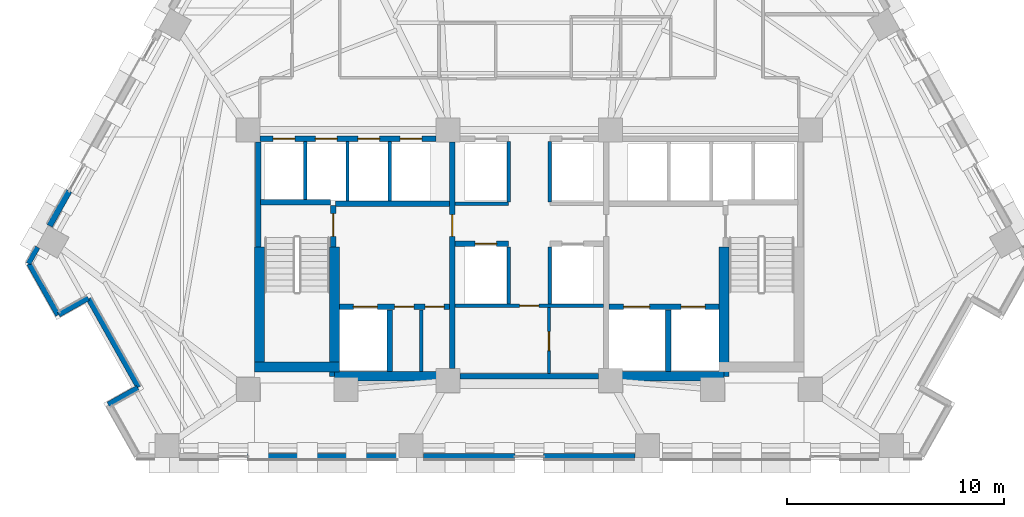
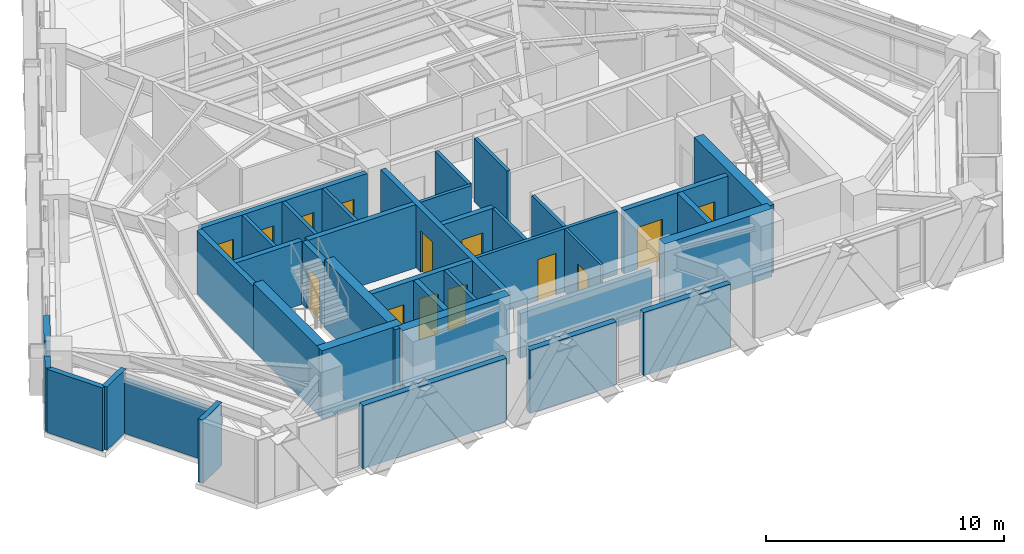
# One storey, part 7 of 13: 38 walls, 14 doors, 14 openings.
"""IFC4 building model written with IfcOpenShell, lengths in metres."""

import ifcopenshell
import ifcopenshell.guid

model = None  # the IFC model being written
_history = None  # IfcOwnerHistory: only IFC2X3 demands one
_inside = {}  # id of a spatial element -> (the spatial element, [elements in it])
_under = {}  # id of a project, library or spatial element -> (it, [spatial elements below it])
_declared = {}  # id of a project -> (the project, [libraries it declares])
_typed = {}  # id of a type object -> (the type object, [elements of that type])
_made_of = {}  # id of a material, layer set ... -> (it, [elements and type objects made of it])


def new_model(schema):
    """Start an empty IFC model of exactly this schema.

    Asked for "IFC4X3", IfcOpenShell would pick the latest addendum, in which some entities
    have other attributes; the version numbers below select the first issue.
    IFC2X3 requires an IfcOwnerHistory on every rooted entity: one is made here for all.
    """
    global model, _history
    if schema == "IFC4X3":
        model = ifcopenshell.file(schema_version=(4, 3, 0, 0))
    else:
        model = ifcopenshell.file(schema=schema)
    _inside.clear()
    _under.clear()
    _declared.clear()
    _typed.clear()
    _made_of.clear()
    _history = None
    if model.schema == "IFC2X3":
        org = make("IfcOrganization", Name="unknown")
        user = make(
            "IfcPersonAndOrganization",
            ThePerson=make("IfcPerson", FamilyName="unknown"),
            TheOrganization=org,
        )
        app = make(
            "IfcApplication",
            ApplicationDeveloper=org,
            Version="unknown",
            ApplicationFullName="unknown",
            ApplicationIdentifier="unknown",
        )
        _history = make(
            "IfcOwnerHistory",
            OwningUser=user,
            OwningApplication=app,
            ChangeAction="ADDED",
            CreationDate=0,
        )
    return model


def make(cls, **values):
    """One entity of the class cls with the attributes given. An attribute that is None is left unset."""
    return model.create_entity(
        cls, **{name: value for name, value in values.items() if value is not None}
    )


def rooted(cls, **values):
    """An entity with a GlobalId (a new one), such as an element, a storey or a relation."""
    return make(cls, GlobalId=ifcopenshell.guid.new(), OwnerHistory=_history, **values)


def si_unit(unit_type, name, prefix=None):
    """IfcSIUnit, for example si_unit("LENGTHUNIT", "METRE", prefix="MILLI")."""
    return make("IfcSIUnit", UnitType=unit_type, Prefix=prefix, Name=name)


def assignment(units):
    """IfcUnitAssignment: the units of a project."""
    return None if units is None else make("IfcUnitAssignment", Units=units)


def point(xyz):
    """IfcCartesianPoint."""
    return None if xyz is None else make("IfcCartesianPoint", Coordinates=xyz)


def direction(xyz):
    """IfcDirection."""
    return None if xyz is None else make("IfcDirection", DirectionRatios=xyz)


def frame(location, z_axis=None, x_axis=None):
    """IfcAxis2Placement3D, a coordinate frame: its origin and axes. An axis left out is left unset."""
    return make(
        "IfcAxis2Placement3D",
        Location=point(location),
        Axis=direction(z_axis),
        RefDirection=direction(x_axis),
    )


def frame_2d(location, x_axis=None):
    """IfcAxis2Placement2D, a coordinate frame in the plane: its origin and x axis."""
    return make(
        "IfcAxis2Placement2D", Location=point(location), RefDirection=direction(x_axis)
    )


def origin():
    """The frame at (0, 0, 0) with its axes left unset."""
    return frame((0.0, 0.0, 0.0))


def place(relative_to, where):
    """IfcLocalPlacement: puts the frame where relative to a parent placement (None: the world)."""
    return make(
        "IfcLocalPlacement", PlacementRelTo=relative_to, RelativePlacement=where
    )


def context(
    kind, dimensions, precision=None, world=None, true_north=None, identifier=None
):
    """IfcGeometricRepresentationContext, for example the 3D "Model" context."""
    return make(
        "IfcGeometricRepresentationContext",
        ContextIdentifier=identifier,
        ContextType=kind,
        CoordinateSpaceDimension=dimensions,
        Precision=precision,
        WorldCoordinateSystem=world,
        TrueNorth=true_north,
    )


def subcontext(parent, identifier, kind, view, scale=None):
    """IfcGeometricRepresentationSubContext, for example "Body" below "Model"."""
    return make(
        "IfcGeometricRepresentationSubContext",
        ContextIdentifier=identifier,
        ContextType=kind,
        ParentContext=parent,
        TargetScale=scale,
        TargetView=view,
    )


def project(units=None, contexts=None):
    """IfcProject with its units and contexts."""
    return rooted(
        "IfcProject",
        Name="project",
        RepresentationContexts=contexts,
        UnitsInContext=assignment(units),
    )


def spatial(cls, under=None, at=None, **own):
    """A site, building, storey or space (cls), placed at a placement, below another one or the project."""
    s = rooted(cls, ObjectPlacement=at, **own)
    if under is not None:
        _under.setdefault(under.id(), (under, []))[1].append(s)
    return s


def profile(cls, at=None, kind="AREA", **sizes):
    """A parametric profile (cls). Its sizes go by their IFC names, for example OverallWidth=200.0."""
    return make(cls, ProfileType=kind, Position=at, **sizes)


def rectangle(**sizes):
    """IfcRectangleProfileDef."""
    return profile("IfcRectangleProfileDef", **sizes)


def extrude(swept, where, along, depth):
    """IfcExtrudedAreaSolid: the profile swept, set in the frame where, extruded along a direction by depth."""
    return make(
        "IfcExtrudedAreaSolid",
        SweptArea=swept,
        Position=where,
        ExtrudedDirection=direction(along),
        Depth=depth,
    )


def shape(context_of_items, identifier, shape_type, items):
    """IfcShapeRepresentation: the items that make up one representation, for example the "Body"."""
    return make(
        "IfcShapeRepresentation",
        ContextOfItems=context_of_items,
        RepresentationIdentifier=identifier,
        RepresentationType=shape_type,
        Items=items,
    )


def material(Name=None, Category=None):
    """IfcMaterial."""
    return make("IfcMaterial", Name=Name, Category=Category)


def layer(
    of_material, thickness, ventilated=None, Name=None, Category=None, Priority=None
):
    """IfcMaterialLayer: one layer of a wall or slab, of a material (None: an air gap)."""
    return make(
        "IfcMaterialLayer",
        Material=of_material,
        LayerThickness=thickness,
        IsVentilated=ventilated,
        Name=Name,
        Category=Category,
        Priority=Priority,
    )


def layer_set(layers, Name=None):
    """IfcMaterialLayerSet."""
    return make("IfcMaterialLayerSet", MaterialLayers=layers, LayerSetName=Name)


def made_of(thing, what):
    """Note that an element or type object is made of a material, layer set ...; save() writes the relation."""
    if what is not None:
        _made_of.setdefault(what.id(), (what, []))[1].append(thing)
    return thing


def type_object(cls, material=None, **own):
    """A type object (cls), such as IfcWallType, which elements share."""
    return made_of(rooted(cls, **own), material)


def element(
    cls,
    number,
    at=None,
    inside=None,
    cuts=None,
    type_object=None,
    material=None,
    context=None,
    identifier="Body",
    shape_type=None,
    held_by="IfcProductDefinitionShape",
    body=None,
    shapes=None,
    **own,
):
    """One element of the class cls, such as IfcWall. Its Tag is "e" and its number.

    at: its placement. inside: the storey or other place that contains it. cuts: it is an
    opening in that element (IfcRelVoidsElement). A single representation is given by context,
    identifier, shape_type and body (its items); several are given by shapes. held_by: the class
    of the entity that holds the representations. save() writes the other relations.
    """
    e = rooted(cls, Tag="e%d" % number, ObjectPlacement=at, **own)
    if body is not None:
        shapes = [shape(context, identifier, shape_type, body)]
    if shapes is not None:
        e.Representation = make(held_by, Representations=shapes)
    if inside is not None:
        _inside.setdefault(inside.id(), (inside, []))[1].append(e)
    if cuts is not None:
        rooted(
            "IfcRelVoidsElement", RelatingBuildingElement=cuts, RelatedOpeningElement=e
        )
    if type_object is not None:
        _typed.setdefault(type_object.id(), (type_object, []))[1].append(e)
    return made_of(e, material)


def fill(opening, filler):
    """IfcRelFillsElement: the door or window that sits in an opening."""
    return rooted(
        "IfcRelFillsElement",
        RelatingOpeningElement=opening,
        RelatedBuildingElement=filler,
    )


def aggregate(whole, parts):
    """IfcRelAggregates: a whole, such as a stair, and the parts it consists of."""
    return rooted("IfcRelAggregates", RelatingObject=whole, RelatedObjects=parts)


def save(model, path):
    """Write the relations noted so far, then the file.

    IfcRelAggregates (storeys below a building ...), IfcRelContainedInSpatialStructure (elements
    in a storey), IfcRelDefinesByType, IfcRelAssociatesMaterial and IfcRelDeclares: one each for
    every whole, place, type object, material and project.
    """
    for whole, parts in _under.values():
        aggregate(whole, parts)
    for where, things in _inside.values():
        rooted(
            "IfcRelContainedInSpatialStructure",
            RelatedElements=things,
            RelatingStructure=where,
        )
    for kind, things in _typed.values():
        rooted("IfcRelDefinesByType", RelatedObjects=things, RelatingType=kind)
    for what, things in _made_of.values():
        rooted("IfcRelAssociatesMaterial", RelatedObjects=things, RelatingMaterial=what)
    for by, libraries in _declared.values():
        rooted("IfcRelDeclares", RelatingContext=by, RelatedDefinitions=libraries)
    model.write(path)


model = new_model("IFC4")

# Units and contexts
model_context = context("Model", 3, precision=1e-05, world=origin(), true_north=direction((0.0, 1.0)))
body_context = subcontext(model_context, "Body", "Model", "MODEL_VIEW")
ifc_project = project(units=[si_unit("LENGTHUNIT", "METRE"), si_unit("AREAUNIT", "SQUARE_METRE"), si_unit("VOLUMEUNIT", "CUBIC_METRE"), si_unit("PLANEANGLEUNIT", "RADIAN"), si_unit("MASSUNIT", "GRAM", prefix="KILO")], contexts=[model_context])

# Site, building, storey
site_placement = place(None, origin())
site = spatial("IfcSite", under=ifc_project, at=site_placement, CompositionType="ELEMENT")
building_placement = place(site_placement, origin())
building = spatial("IfcBuilding", under=site, at=building_placement, Name="Quenlor Broadcast Tower", CompositionType="ELEMENT")
storey_placement = place(building_placement, frame((0.0, 0.0, 95.0)))
storey = spatial("IfcBuildingStorey", under=building, at=storey_placement, Name="L25", CompositionType="ELEMENT", Elevation=95.0)

# Walls
ifc_material_1 = material(Name="Concrete C50/60", Category="concrete")
ifc_layer_1 = layer(ifc_material_1, 0.449951171875)
ifc_layer_set_1 = layer_set([ifc_layer_1], Name="Core Concrete C50/60 Shear Wall 450")
wall_type_1 = type_object("IfcWallType", Name="Core Concrete C50/60 Shear Wall 450", PredefinedType="SHEAR", material=ifc_layer_set_1)
wall_1_placement = place(storey_placement, frame((-12.64990234375, -15.72509765625, 0.0), z_axis=(0.0, 0.0, 1.0), x_axis=(1.0, 0.0, 0.0)))
element("IfcWall", 1, at=wall_1_placement, inside=storey, type_object=wall_type_1, Name="L25 Core Shear Wall WS-W1", PredefinedType="SHEAR", context=body_context, shape_type="SweptSolid", body=[
    extrude(rectangle(XDim=3.89990234375, YDim=0.449951171875, at=frame_2d((1.949951171875, 0.0))), origin(), (0.0, 0.0, 1.0), 3.5),
])
for number, where, z_axis, x_axis, name in (
    (2, (-8.97509765625, -16.14990234375, 0.0), (0.0, 0.0, 1.0), (1.0, 0.0, 0.0), "L25 Core Shear Wall WS-W2"),
    (3, (3.75, -16.14990234375, 0.0), (0.0, 0.0, 1.0), (1.0, 0.0, 0.0), "L25 Core Shear Wall WS-E1"),
):
    element("IfcWall", number, at=place(storey_placement, frame(where, z_axis=z_axis, x_axis=x_axis)), inside=storey, type_object=wall_type_1, Name=name, PredefinedType="SHEAR", context=body_context, shape_type="SweptSolid", body=[
        extrude(rectangle(XDim=5.22509765625, YDim=0.449951171875, at=frame_2d((2.612548828125, 0.0))), origin(), (0.0, 0.0, 1.0), 3.5),
    ])
wall_2_placement = place(storey_placement, frame((-12.425048828125, -15.72509765625, 0.0), z_axis=(0.0, 0.0, 1.0), x_axis=(0.0, 1.0, 0.0)))
element("IfcWall", 4, at=wall_2_placement, inside=storey, type_object=wall_type_1, Name="L25 Core Shear Wall WF-W", PredefinedType="SHEAR", context=body_context, shape_type="SweptSolid", body=[
    extrude(rectangle(XDim=5.525146484375, YDim=0.449951171875, at=frame_2d((2.7626953125, 0.0))), origin(), (0.0, 0.0, 1.0), 3.5),
])
for number, where, z_axis, x_axis, name in (
    (5, (-8.97509765625, -16.14990234375, 0.0), (0.0, 0.0, 1.0), (0.0, 1.0, 0.0), "L25 Core Shear Wall WI-W"),
    (6, (8.97509765625, -16.14990234375, 0.0), (0.0, 0.0, 1.0), (0.0, 1.0, 0.0), "L25 Core Shear Wall WI-E"),
):
    element("IfcWall", number, at=place(storey_placement, frame(where, z_axis=z_axis, x_axis=x_axis)), inside=storey, type_object=wall_type_1, Name=name, PredefinedType="SHEAR", context=body_context, shape_type="SweptSolid", body=[
        extrude(rectangle(XDim=5.949951171875, YDim=0.449951171875, at=frame_2d((2.97509765625, 0.0))), origin(), (0.0, 0.0, 1.0), 3.5),
    ])

# Wall, opening, door
ifc_material_2 = material(Name="Concrete C40/50", Category="concrete")
ifc_layer_2 = layer(ifc_material_2, 0.25)
ifc_layer_set_2 = layer_set([ifc_layer_2], Name="Fire Rated Concrete C40/50 Core Wall 250")
wall_type_2 = type_object("IfcWallType", Name="Fire Rated Concrete C40/50 Core Wall 250", PredefinedType="PARTITIONING", material=ifc_layer_set_2)
wall_3_placement = place(storey_placement, frame((-9.0400390625, -10.179931640625, 0.0), z_axis=(0.0, 0.0, 1.0), x_axis=(0.0, 1.0, 0.0)))
wall_3 = element("IfcWall", 7, at=wall_3_placement, inside=storey, type_object=wall_type_2, Name="L25 Interior Wall CW-ST1-DR", PredefinedType="PARTITIONING", context=body_context, shape_type="SweptSolid", body=[
    extrude(rectangle(XDim=1.89990234375, YDim=0.25, at=frame_2d((0.949951171875, 0.0))), origin(), (0.0, 0.0, 1.0), 3.25),
])
opening_1_placement = place(wall_3_placement, frame((0.47998046875, 0.0, 0.0)))
opening_1 = element("IfcOpeningElement", 8, at=opening_1_placement, cuts=wall_3, Name="Opening FD-1", PredefinedType="OPENING", context=body_context, shape_type="SweptSolid", body=[
    extrude(rectangle(XDim=1.050048828125, YDim=2.14990234375, at=frame_2d((0.52490234375, 1.074951171875))), frame((0.0, 0.135009765625, 0.0), z_axis=(0.0, -1.0, 0.0), x_axis=(1.0, 0.0, 0.0)), (0.0, 0.0, 1.0), 0.27001953125),
])
ifc_material_3 = material(Name="Fire Rated Steel Door Leaf", Category="steel")
door_type_1 = type_object("IfcDoorType", Name="Fire Isolated Stair Door 1050x2150", OperationType="NOTDEFINED", PredefinedType="DOOR", material=ifc_material_3)
door_1_placement = place(opening_1_placement, origin())
door_1 = element("IfcDoor", 9, at=door_1_placement, inside=storey, type_object=door_type_1, Name="L25 Door DR-ST1", OperationType="SINGLE_SWING_LEFT", OverallHeight=2.14990234375, OverallWidth=1.050048828125, PredefinedType="DOOR", context=body_context, shape_type="SweptSolid", body=[
    extrude(rectangle(XDim=1.050048828125, YDim=2.14990234375, at=frame_2d((0.52490234375, 1.074951171875))), frame((0.0, 0.02490234375, 0.0), z_axis=(0.0, -1.0, 0.0), x_axis=(1.0, 0.0, 0.0)), (0.0, 0.0, 1.0), 0.050048828125),
])
fill(opening_1, door_1)

# Walls
wall_4_placement = place(storey_placement, frame((-12.3798828125, -8.1201171875, 0.0), z_axis=(0.0, 0.0, 1.0), x_axis=(1.0, 0.0, 0.0)))
element("IfcWall", 10, at=wall_4_placement, inside=storey, type_object=wall_type_2, Name="L25 Interior Wall CW-ST1-N", PredefinedType="PARTITIONING", context=body_context, shape_type="SweptSolid", body=[
    extrude(rectangle(XDim=3.219970703125, YDim=0.25, at=frame_2d((1.60986328125, 0.0))), origin(), (0.0, 0.0, 1.0), 3.25),
])
wall_5_placement = place(storey_placement, frame((-12.47998046875, -10.179931640625, 0.0), z_axis=(0.0, 0.0, 1.0), x_axis=(0.0, 1.0, 0.0)))
element("IfcWall", 11, at=wall_5_placement, inside=storey, type_object=wall_type_2, Name="L25 Interior Wall CW-ST1-W2", PredefinedType="PARTITIONING", context=body_context, shape_type="SweptSolid", body=[
    extrude(rectangle(XDim=4.827880859375, YDim=0.25, at=frame_2d((2.4140625, 0.0))), origin(), (0.0, 0.0, 1.0), 3.25),
])

# Wall, openings, doors
wall_6_placement = place(storey_placement, frame((-8.748046875, -12.949951171875, 0.0), z_axis=(0.0, 0.0, 1.0), x_axis=(1.0, 0.0, 0.0)))
wall_6 = element("IfcWall", 12, at=wall_6_placement, inside=storey, type_object=wall_type_2, Name="L25 Interior Wall CW-FFW-S", PredefinedType="PARTITIONING", context=body_context, shape_type="SweptSolid", body=[
    extrude(rectangle(XDim=5.068115234375, YDim=0.25, at=frame_2d((2.5341796875, 0.0))), origin(), (0.0, 0.0, 1.0), 3.25),
])
opening_2_placement = place(wall_6_placement, frame((0.64794921875, 0.0, 0.0)))
opening_2 = element("IfcOpeningElement", 13, at=opening_2_placement, cuts=wall_6, Name="Opening LD-FFL-1", PredefinedType="OPENING", context=body_context, shape_type="SweptSolid", body=[
    extrude(rectangle(XDim=1.10009765625, YDim=2.14990234375, at=frame_2d((0.550048828125, 1.074951171875))), frame((0.0, 0.135009765625, 0.0), z_axis=(0.0, -1.0, 0.0), x_axis=(1.0, 0.0, 0.0)), (0.0, 0.0, 1.0), 0.27001953125),
])
opening_3_placement = place(wall_6_placement, frame((2.548095703125, 0.0, 0.0)))
opening_3 = element("IfcOpeningElement", 14, at=opening_3_placement, cuts=wall_6, Name="Opening TD-1", PredefinedType="OPENING", context=body_context, shape_type="SweptSolid", body=[
    extrude(rectangle(XDim=0.8798828125, YDim=2.10009765625, at=frame_2d((0.43994140625, 1.050048828125))), frame((0.0, 0.135009765625, 0.0), z_axis=(0.0, -1.0, 0.0), x_axis=(1.0, 0.0, 0.0)), (0.0, 0.0, 1.0), 0.27001953125),
])
opening_4_placement = place(wall_6_placement, frame((3.947998046875, 0.0, 0.0)))
opening_4 = element("IfcOpeningElement", 15, at=opening_4_placement, cuts=wall_6, Name="Opening TD-1", PredefinedType="OPENING", context=body_context, shape_type="SweptSolid", body=[
    extrude(rectangle(XDim=0.8798828125, YDim=2.10009765625, at=frame_2d((0.43994140625, 1.050048828125))), frame((0.0, 0.135009765625, 0.0), z_axis=(0.0, -1.0, 0.0), x_axis=(1.0, 0.0, 0.0)), (0.0, 0.0, 1.0), 0.27001953125),
])
ifc_material_4 = material(Name="Brushed Stainless Steel", Category="steel")
door_type_2 = type_object("IfcDoorType", Name="Emergency Lift Sliding Landing Door 1100x2150", OperationType="NOTDEFINED", PredefinedType="DOOR", material=ifc_material_4)
door_2_placement = place(opening_2_placement, origin())
door_2 = element("IfcDoor", 16, at=door_2_placement, inside=storey, type_object=door_type_2, Name="L25 Door LD-FFL-1", OperationType="SLIDING_TO_LEFT", OverallHeight=2.14990234375, OverallWidth=1.10009765625, PredefinedType="DOOR", context=body_context, shape_type="SweptSolid", body=[
    extrude(rectangle(XDim=1.10009765625, YDim=2.14990234375, at=frame_2d((0.550048828125, 1.074951171875))), frame((0.0, 0.02490234375, 0.0), z_axis=(0.0, -1.0, 0.0), x_axis=(1.0, 0.0, 0.0)), (0.0, 0.0, 1.0), 0.050048828125),
])
fill(opening_2, door_2)
ifc_material_5 = material(Name="Fire Rated Steel Access Panel", Category="steel")
door_type_3 = type_object("IfcDoorType", Name="Riser Shaft Rated Access Trapdoor 880x2100", OperationType="NOTDEFINED", PredefinedType="TRAPDOOR", material=ifc_material_5)
door_3_placement = place(opening_3_placement, origin())
door_3 = element("IfcDoor", 17, at=door_3_placement, inside=storey, type_object=door_type_3, Name="L25 Door DR-ELR", OperationType="SINGLE_SWING_LEFT", OverallHeight=2.10009765625, OverallWidth=0.8798828125, PredefinedType="TRAPDOOR", context=body_context, shape_type="SweptSolid", body=[
    extrude(rectangle(XDim=0.8798828125, YDim=2.10009765625, at=frame_2d((0.43994140625, 1.050048828125))), frame((0.0, 0.02490234375, 0.0), z_axis=(0.0, -1.0, 0.0), x_axis=(1.0, 0.0, 0.0)), (0.0, 0.0, 1.0), 0.050048828125),
])
fill(opening_3, door_3)
door_4_placement = place(opening_4_placement, origin())
door_4 = element("IfcDoor", 18, at=door_4_placement, inside=storey, type_object=door_type_3, Name="L25 Door DR-CMR", OperationType="SINGLE_SWING_RIGHT", OverallHeight=2.10009765625, OverallWidth=0.8798828125, PredefinedType="TRAPDOOR", context=body_context, shape_type="SweptSolid", body=[
    extrude(rectangle(XDim=0.8798828125, YDim=2.10009765625, at=frame_2d((0.43994140625, 1.050048828125))), frame((0.0, 0.02490234375, 0.0), z_axis=(0.0, -1.0, 0.0), x_axis=(1.0, 0.0, 0.0)), (0.0, 0.0, 1.0), 0.050048828125),
])
fill(opening_4, door_4)

wall_7_placement = place(storey_placement, frame((3.679931640625, -12.949951171875, 0.0), z_axis=(0.0, 0.0, 1.0), x_axis=(1.0, 0.0, 0.0)))
wall_7 = element("IfcWall", 19, at=wall_7_placement, inside=storey, type_object=wall_type_2, Name="L25 Interior Wall CW-FFE-S", PredefinedType="PARTITIONING", context=body_context, shape_type="SweptSolid", body=[
    extrude(rectangle(XDim=5.068115234375, YDim=0.25, at=frame_2d((2.5341796875, 0.0))), origin(), (0.0, 0.0, 1.0), 3.25),
])
opening_5_placement = place(wall_7_placement, frame((3.320068359375, 0.0, 0.0)))
opening_5 = element("IfcOpeningElement", 20, at=opening_5_placement, cuts=wall_7, Name="Opening LD-FFL-2", PredefinedType="OPENING", context=body_context, shape_type="SweptSolid", body=[
    extrude(rectangle(XDim=1.10009765625, YDim=2.14990234375, at=frame_2d((0.550048828125, 1.074951171875))), frame((0.0, 0.135009765625, 0.0), z_axis=(0.0, -1.0, 0.0), x_axis=(1.0, 0.0, 0.0)), (0.0, 0.0, 1.0), 0.27001953125),
])
opening_6_placement = place(wall_7_placement, frame((0.669921875, 0.0, 0.0)))
opening_6 = element("IfcOpeningElement", 21, at=opening_6_placement, cuts=wall_7, Name="Opening LD-SVL-1", PredefinedType="OPENING", context=body_context, shape_type="SweptSolid", body=[
    extrude(rectangle(XDim=1.199951171875, YDim=2.14990234375, at=frame_2d((0.60009765625, 1.074951171875))), frame((0.0, 0.135009765625, 0.0), z_axis=(0.0, -1.0, 0.0), x_axis=(1.0, 0.0, 0.0)), (0.0, 0.0, 1.0), 0.27001953125),
])
door_5_placement = place(opening_5_placement, origin())
door_5 = element("IfcDoor", 22, at=door_5_placement, inside=storey, type_object=door_type_2, Name="L25 Door LD-FFL-2", OperationType="SLIDING_TO_RIGHT", OverallHeight=2.14990234375, OverallWidth=1.10009765625, PredefinedType="DOOR", context=body_context, shape_type="SweptSolid", body=[
    extrude(rectangle(XDim=1.10009765625, YDim=2.14990234375, at=frame_2d((0.550048828125, 1.074951171875))), frame((0.0, 0.02490234375, 0.0), z_axis=(0.0, -1.0, 0.0), x_axis=(1.0, 0.0, 0.0)), (0.0, 0.0, 1.0), 0.050048828125),
])
fill(opening_5, door_5)
ifc_material_6 = material(Name="Brushed Stainless Steel", Category="steel")
door_type_4 = type_object("IfcDoorType", Name="Goods Lift Sliding Landing Door 1200x2150", OperationType="NOTDEFINED", PredefinedType="DOOR", material=ifc_material_6)
door_6_placement = place(opening_6_placement, origin())
door_6 = element("IfcDoor", 23, at=door_6_placement, inside=storey, type_object=door_type_4, Name="L25 Door LD-SVL-1", OperationType="SLIDING_TO_LEFT", OverallHeight=2.14990234375, OverallWidth=1.199951171875, PredefinedType="DOOR", context=body_context, shape_type="SweptSolid", body=[
    extrude(rectangle(XDim=1.199951171875, YDim=2.14990234375, at=frame_2d((0.60009765625, 1.074951171875))), frame((0.0, 0.02490234375, 0.0), z_axis=(0.0, -1.0, 0.0), x_axis=(1.0, 0.0, 0.0)), (0.0, 0.0, 1.0), 0.050048828125),
])
fill(opening_6, door_6)

# Walls
for number, where, z_axis, x_axis, name in (
    (24, (-6.419921875, -15.919921875, 0.0), (0.0, 0.0, 1.0), (0.0, 1.0, 0.0), "L25 Interior Wall CW-FF1-E"),
    (25, (6.39990234375, -15.919921875, 0.0), (0.0, 0.0, 1.0), (0.0, 1.0, 0.0), "L25 Interior Wall CW-SV1-E"),
):
    element("IfcWall", number, at=place(storey_placement, frame(where, z_axis=z_axis, x_axis=x_axis)), inside=storey, type_object=wall_type_2, Name=name, PredefinedType="PARTITIONING", context=body_context, shape_type="SweptSolid", body=[
        extrude(rectangle(XDim=2.829833984375, YDim=0.25, at=frame_2d((1.4150390625, 0.0))), origin(), (0.0, 0.0, 1.0), 3.25),
    ])
wall_8_placement = place(storey_placement, frame((-8.919921875, -8.199951171875, 0.0), z_axis=(0.0, 0.0, 1.0), x_axis=(1.0, 0.0, 0.0)))
element("IfcWall", 26, at=wall_8_placement, inside=storey, type_object=wall_type_2, Name="L25 Interior Wall CW-FFW-N", PredefinedType="PARTITIONING", context=body_context, shape_type="SweptSolid", body=[
    extrude(rectangle(XDim=5.239990234375, YDim=0.25, at=frame_2d((2.6201171875, 0.0))), origin(), (0.0, 0.0, 1.0), 3.25),
])

# Wall, opening, door
wall_9_placement = place(storey_placement, frame((-3.550048828125, -15.798095703125, 0.0), z_axis=(0.0, 0.0, 1.0), x_axis=(0.0, 1.0, 0.0)))
wall_9 = element("IfcWall", 27, at=wall_9_placement, inside=storey, type_object=wall_type_2, Name="L25 Interior Wall CW-FFW-E", PredefinedType="PARTITIONING", context=body_context, shape_type="SweptSolid", body=[
    extrude(rectangle(XDim=10.446044921875, YDim=0.25, at=frame_2d((5.22314453125, 0.0))), origin(), (0.0, 0.0, 1.0), 3.25),
])
opening_7_placement = place(wall_9_placement, frame((6.097900390625, 0.0, 0.0)))
opening_7 = element("IfcOpeningElement", 28, at=opening_7_placement, cuts=wall_9, Name="Opening FD-2", PredefinedType="OPENING", context=body_context, shape_type="SweptSolid", body=[
    extrude(rectangle(XDim=1.0, YDim=2.14990234375, at=frame_2d((0.5, 1.074951171875))), frame((0.0, 0.135009765625, 0.0), z_axis=(0.0, -1.0, 0.0), x_axis=(1.0, 0.0, 0.0)), (0.0, 0.0, 1.0), 0.27001953125),
])
ifc_material_7 = material(Name="Fire Rated Glazed Steel Door", Category="steel")
door_type_5 = type_object("IfcDoorType", Name="Firefighting Lobby Smoke Door 1000x2150", OperationType="NOTDEFINED", PredefinedType="DOOR", material=ifc_material_7)
door_7_placement = place(opening_7_placement, origin())
door_7 = element("IfcDoor", 29, at=door_7_placement, inside=storey, type_object=door_type_5, Name="L25 Door DR-FFLW", OperationType="SINGLE_SWING_RIGHT", OverallHeight=2.14990234375, OverallWidth=1.0, PredefinedType="DOOR", context=body_context, shape_type="SweptSolid", body=[
    extrude(rectangle(XDim=1.0, YDim=2.14990234375, at=frame_2d((0.5, 1.074951171875))), frame((0.0, 0.02490234375, 0.0), z_axis=(0.0, -1.0, 0.0), x_axis=(1.0, 0.0, 0.0)), (0.0, 0.0, 1.0), 0.050048828125),
])
fill(opening_7, door_7)

# Wall, openings, doors
wall_10_placement = place(storey_placement, frame((-12.39794921875, -5.199951171875, 0.0), z_axis=(0.0, 0.0, 1.0), x_axis=(1.0, 0.0, 0.0)))
wall_10 = element("IfcWall", 30, at=wall_10_placement, inside=storey, type_object=wall_type_2, Name="L25 Interior Wall CW-N-W", PredefinedType="PARTITIONING", context=body_context, shape_type="SweptSolid", body=[
    extrude(rectangle(XDim=8.095947265625, YDim=0.25, at=frame_2d((4.0478515625, 0.0))), origin(), (0.0, 0.0, 1.0), 3.25),
])
opening_8_placement = place(wall_10_placement, frame((0.597900390625, 0.0, 0.0)))
opening_8 = element("IfcOpeningElement", 31, at=opening_8_placement, cuts=wall_10, Name="Opening LD-PL-L1", PredefinedType="OPENING", context=body_context, shape_type="SweptSolid", body=[
    extrude(rectangle(XDim=1.0, YDim=2.14990234375, at=frame_2d((0.5, 1.074951171875))), frame((0.0, 0.135009765625, 0.0), z_axis=(0.0, -1.0, 0.0), x_axis=(1.0, 0.0, 0.0)), (0.0, 0.0, 1.0), 0.27001953125),
])
opening_9_placement = place(wall_10_placement, frame((2.548095703125, 0.0, 0.0)))
opening_9 = element("IfcOpeningElement", 32, at=opening_9_placement, cuts=wall_10, Name="Opening LD-PL-L2", PredefinedType="OPENING", context=body_context, shape_type="SweptSolid", body=[
    extrude(rectangle(XDim=1.0, YDim=2.14990234375, at=frame_2d((0.5, 1.074951171875))), frame((0.0, 0.135009765625, 0.0), z_axis=(0.0, -1.0, 0.0), x_axis=(1.0, 0.0, 0.0)), (0.0, 0.0, 1.0), 0.27001953125),
])
opening_10_placement = place(wall_10_placement, frame((4.498046875, 0.0, 0.0)))
opening_10 = element("IfcOpeningElement", 33, at=opening_10_placement, cuts=wall_10, Name="Opening LD-PL-L3", PredefinedType="OPENING", context=body_context, shape_type="SweptSolid", body=[
    extrude(rectangle(XDim=1.0, YDim=2.14990234375, at=frame_2d((0.5, 1.074951171875))), frame((0.0, 0.135009765625, 0.0), z_axis=(0.0, -1.0, 0.0), x_axis=(1.0, 0.0, 0.0)), (0.0, 0.0, 1.0), 0.27001953125),
])
opening_11_placement = place(wall_10_placement, frame((6.447998046875, 0.0, 0.0)))
opening_11 = element("IfcOpeningElement", 34, at=opening_11_placement, cuts=wall_10, Name="Opening LD-PL-L4", PredefinedType="OPENING", context=body_context, shape_type="SweptSolid", body=[
    extrude(rectangle(XDim=1.0, YDim=2.14990234375, at=frame_2d((0.5, 1.074951171875))), frame((0.0, 0.135009765625, 0.0), z_axis=(0.0, -1.0, 0.0), x_axis=(1.0, 0.0, 0.0)), (0.0, 0.0, 1.0), 0.27001953125),
])
ifc_material_8 = material(Name="Brushed Stainless Steel", Category="steel")
door_type_6 = type_object("IfcDoorType", Name="Passenger Lift Sliding Landing Door 1000x2150", OperationType="NOTDEFINED", PredefinedType="DOOR", material=ifc_material_8)
door_8_placement = place(opening_8_placement, origin())
door_8 = element("IfcDoor", 35, at=door_8_placement, inside=storey, type_object=door_type_6, Name="L25 Door LD-PL-L1", OperationType="SLIDING_TO_LEFT", OverallHeight=2.14990234375, OverallWidth=1.0, PredefinedType="DOOR", context=body_context, shape_type="SweptSolid", body=[
    extrude(rectangle(XDim=1.0, YDim=2.14990234375, at=frame_2d((0.5, 1.074951171875))), frame((0.0, 0.02490234375, 0.0), z_axis=(0.0, -1.0, 0.0), x_axis=(1.0, 0.0, 0.0)), (0.0, 0.0, 1.0), 0.050048828125),
])
fill(opening_8, door_8)
door_9_placement = place(opening_9_placement, origin())
door_9 = element("IfcDoor", 36, at=door_9_placement, inside=storey, type_object=door_type_6, Name="L25 Door LD-PL-L2", OperationType="SLIDING_TO_LEFT", OverallHeight=2.14990234375, OverallWidth=1.0, PredefinedType="DOOR", context=body_context, shape_type="SweptSolid", body=[
    extrude(rectangle(XDim=1.0, YDim=2.14990234375, at=frame_2d((0.5, 1.074951171875))), frame((0.0, 0.02490234375, 0.0), z_axis=(0.0, -1.0, 0.0), x_axis=(1.0, 0.0, 0.0)), (0.0, 0.0, 1.0), 0.050048828125),
])
fill(opening_9, door_9)
door_10_placement = place(opening_10_placement, origin())
door_10 = element("IfcDoor", 37, at=door_10_placement, inside=storey, type_object=door_type_6, Name="L25 Door LD-PL-L3", OperationType="SLIDING_TO_LEFT", OverallHeight=2.14990234375, OverallWidth=1.0, PredefinedType="DOOR", context=body_context, shape_type="SweptSolid", body=[
    extrude(rectangle(XDim=1.0, YDim=2.14990234375, at=frame_2d((0.5, 1.074951171875))), frame((0.0, 0.02490234375, 0.0), z_axis=(0.0, -1.0, 0.0), x_axis=(1.0, 0.0, 0.0)), (0.0, 0.0, 1.0), 0.050048828125),
])
fill(opening_10, door_10)
door_11_placement = place(opening_11_placement, origin())
door_11 = element("IfcDoor", 38, at=door_11_placement, inside=storey, type_object=door_type_6, Name="L25 Door LD-PL-L4", OperationType="SLIDING_TO_LEFT", OverallHeight=2.14990234375, OverallWidth=1.0, PredefinedType="DOOR", context=body_context, shape_type="SweptSolid", body=[
    extrude(rectangle(XDim=1.0, YDim=2.14990234375, at=frame_2d((0.5, 1.074951171875))), frame((0.0, 0.02490234375, 0.0), z_axis=(0.0, -1.0, 0.0), x_axis=(1.0, 0.0, 0.0)), (0.0, 0.0, 1.0), 0.050048828125),
])
fill(opening_11, door_11)

# Wall
wall_11_placement = place(storey_placement, frame((-3.197998046875, -16.14990234375, 0.0), z_axis=(0.0, 0.0, 1.0), x_axis=(1.0, 0.0, 0.0)))
element("IfcWall", 39, at=wall_11_placement, inside=storey, type_object=wall_type_2, Name="L25 Interior Wall CW-MS-S", PredefinedType="PARTITIONING", context=body_context, shape_type="SweptSolid", body=[
    extrude(rectangle(XDim=6.39599609375, YDim=0.25, at=frame_2d((3.197998046875, 0.0))), origin(), (0.0, 0.0, 1.0), 2.300048828125),
])

# Wall, opening, door
wall_12_placement = place(storey_placement, frame((-3.419921875, -10.050048828125, 0.0), z_axis=(0.0, 0.0, 1.0), x_axis=(1.0, 0.0, 0.0)))
wall_12 = element("IfcWall", 40, at=wall_12_placement, inside=storey, type_object=wall_type_2, Name="L25 Interior Wall CW-MS-N1", PredefinedType="PARTITIONING", context=body_context, shape_type="SweptSolid", body=[
    extrude(rectangle(XDim=2.469970703125, YDim=0.25, at=frame_2d((1.23486328125, 0.0))), origin(), (0.0, 0.0, 1.0), 3.25),
])
opening_12_placement = place(wall_12_placement, frame((0.919921875, 0.0, 0.0)))
opening_12 = element("IfcOpeningElement", 41, at=opening_12_placement, cuts=wall_12, Name="Opening LD-PL-M3", PredefinedType="OPENING", context=body_context, shape_type="SweptSolid", body=[
    extrude(rectangle(XDim=1.0, YDim=2.14990234375, at=frame_2d((0.5, 1.074951171875))), frame((0.0, 0.135009765625, 0.0), z_axis=(0.0, -1.0, 0.0), x_axis=(1.0, 0.0, 0.0)), (0.0, 0.0, 1.0), 0.27001953125),
])
door_12_placement = place(opening_12_placement, origin())
door_12 = element("IfcDoor", 42, at=door_12_placement, inside=storey, type_object=door_type_6, Name="L25 Door LD-PL-M3", OperationType="SLIDING_TO_LEFT", OverallHeight=2.14990234375, OverallWidth=1.0, PredefinedType="DOOR", context=body_context, shape_type="SweptSolid", body=[
    extrude(rectangle(XDim=1.0, YDim=2.14990234375, at=frame_2d((0.5, 1.074951171875))), frame((0.0, 0.02490234375, 0.0), z_axis=(0.0, -1.0, 0.0), x_axis=(1.0, 0.0, 0.0)), (0.0, 0.0, 1.0), 0.050048828125),
])
fill(opening_12, door_12)

# Walls
ifc_material_9 = material(Name="Gypsum Fireboard Partition", Category="other")
ifc_layer_3 = layer(ifc_material_9, 0.159912109375)
ifc_layer_set_3 = layer_set([ifc_layer_3], Name="Fire Rated Shaft and Corridor Partition 160")
wall_type_3 = type_object("IfcWallType", Name="Fire Rated Shaft and Corridor Partition 160", PredefinedType="PARTITIONING", material=ifc_layer_set_3)
wall_13_placement = place(storey_placement, frame((-4.97998046875, -15.919921875, 0.0), z_axis=(0.0, 0.0, 1.0), x_axis=(0.0, 1.0, 0.0)))
element("IfcWall", 43, at=wall_13_placement, inside=storey, type_object=wall_type_3, Name="L25 Interior Wall CW-ELR-E", PredefinedType="PARTITIONING", context=body_context, shape_type="SweptSolid", body=[
    extrude(rectangle(XDim=2.829833984375, YDim=0.159912109375, at=frame_2d((1.4150390625, 0.0))), origin(), (0.0, 0.0, 1.0), 3.25),
])
wall_14_placement = place(storey_placement, frame((-10.324951171875, -7.992919921875, 0.0), z_axis=(0.0, 0.0, 1.0), x_axis=(0.0, 1.0, 0.0)))
element("IfcWall", 44, at=wall_14_placement, inside=storey, type_object=wall_type_3, Name="L25 Interior Wall CW-PLL-D1", PredefinedType="PARTITIONING", context=body_context, shape_type="SweptSolid", body=[
    extrude(rectangle(XDim=2.65283203125, YDim=0.159912109375, at=frame_2d((1.326416015625, 0.0))), origin(), (0.0, 0.0, 1.0), 3.25),
])
for number, where, z_axis, x_axis, name in (
    (45, (-8.375, -8.072998046875, 0.0), (0.0, 0.0, 1.0), (0.0, 1.0, 0.0), "L25 Interior Wall CW-PLL-D2"),
    (46, (-6.425048828125, -8.072998046875, 0.0), (0.0, 0.0, 1.0), (0.0, 1.0, 0.0), "L25 Interior Wall CW-PLL-D3"),
):
    element("IfcWall", number, at=place(storey_placement, frame(where, z_axis=z_axis, x_axis=x_axis)), inside=storey, type_object=wall_type_3, Name=name, PredefinedType="PARTITIONING", context=body_context, shape_type="SweptSolid", body=[
        extrude(rectangle(XDim=2.73291015625, YDim=0.159912109375, at=frame_2d((1.366455078125, 0.0))), origin(), (0.0, 0.0, 1.0), 3.25),
    ])
for number, where, z_axis, x_axis, name in (
    (47, (-0.949951171875, -8.1201171875, 0.0), (0.0, 0.0, 1.0), (0.0, 1.0, 0.0), "L25 Interior Wall CW-CCRP-W"),
    (48, (0.949951171875, -8.1201171875, 0.0), (0.0, 0.0, 1.0), (0.0, 1.0, 0.0), "L25 Interior Wall CW-CCRP-E"),
):
    element("IfcWall", number, at=place(storey_placement, frame(where, z_axis=z_axis, x_axis=x_axis)), inside=storey, type_object=wall_type_3, Name=name, PredefinedType="PARTITIONING", context=body_context, shape_type="SweptSolid", body=[
        extrude(rectangle(XDim=2.780029296875, YDim=0.159912109375, at=frame_2d((1.39013671875, 0.0))), origin(), (0.0, 0.0, 1.0), 3.25),
    ])
wall_15_placement = place(storey_placement, frame((-3.419921875, -8.199951171875, 0.0), z_axis=(0.0, 0.0, 1.0), x_axis=(1.0, 0.0, 0.0)))
element("IfcWall", 49, at=wall_15_placement, inside=storey, type_object=wall_type_3, Name="L25 Interior Wall CW-M-BACK1", PredefinedType="PARTITIONING", context=body_context, shape_type="SweptSolid", body=[
    extrude(rectangle(XDim=2.469970703125, YDim=0.159912109375, at=frame_2d((1.23486328125, 0.0))), origin(), (0.0, 0.0, 1.0), 3.25),
])

# Wall, opening, door
wall_16_placement = place(storey_placement, frame((-3.419921875, -12.89990234375, 0.0), z_axis=(0.0, 0.0, 1.0), x_axis=(1.0, 0.0, 0.0)))
wall_16 = element("IfcWall", 50, at=wall_16_placement, inside=storey, type_object=wall_type_3, Name="L25 Interior Wall CW-MS-B", PredefinedType="PARTITIONING", context=body_context, shape_type="SweptSolid", body=[
    extrude(rectangle(XDim=6.83984375, YDim=0.159912109375, at=frame_2d((3.419921875, 0.0))), origin(), (0.0, 0.0, 1.0), 3.25),
])
opening_13_placement = place(wall_16_placement, frame((2.97998046875, 0.0, 0.0)))
opening_13 = element("IfcOpeningElement", 51, at=opening_13_placement, cuts=wall_16, Name="Opening ID-4", PredefinedType="OPENING", context=body_context, shape_type="SweptSolid", body=[
    extrude(rectangle(XDim=0.8798828125, YDim=2.1201171875, at=frame_2d((0.43994140625, 1.06005859375))), frame((0.0, 0.08984375, 0.0), z_axis=(0.0, -1.0, 0.0), x_axis=(1.0, 0.0, 0.0)), (0.0, 0.0, 1.0), 0.179931640625),
])
ifc_material_10 = material(Name="Solid Core Timber Oak", Category="wood")
door_type_7 = type_object("IfcDoorType", Name="Service Closet Timber Door 880x2120", OperationType="NOTDEFINED", PredefinedType="DOOR", material=ifc_material_10)
door_13_placement = place(opening_13_placement, origin())
door_13 = element("IfcDoor", 52, at=door_13_placement, inside=storey, type_object=door_type_7, Name="L25 Door DR-CSV0", OperationType="SINGLE_SWING_LEFT", OverallHeight=2.1201171875, OverallWidth=0.8798828125, PredefinedType="DOOR", context=body_context, shape_type="SweptSolid", body=[
    extrude(rectangle(XDim=0.8798828125, YDim=2.1201171875, at=frame_2d((0.43994140625, 1.06005859375))), frame((0.0, 0.02490234375, 0.0), z_axis=(0.0, -1.0, 0.0), x_axis=(1.0, 0.0, 0.0)), (0.0, 0.0, 1.0), 0.050048828125),
])
fill(opening_13, door_13)

# Walls
for number, where, z_axis, x_axis, name in (
    (53, (-0.949951171875, -12.818115234375, 0.0), (0.0, 0.0, 1.0), (0.0, 1.0, 0.0), "L25 Interior Wall CW-MS-W"),
    (54, (0.949951171875, -12.818115234375, 0.0), (0.0, 0.0, 1.0), (0.0, 1.0, 0.0), "L25 Interior Wall CW-MS-E"),
):
    element("IfcWall", number, at=place(storey_placement, frame(where, z_axis=z_axis, x_axis=x_axis)), inside=storey, type_object=wall_type_3, Name=name, PredefinedType="PARTITIONING", context=body_context, shape_type="SweptSolid", body=[
        extrude(rectangle(XDim=2.63818359375, YDim=0.159912109375, at=frame_2d((1.319091796875, 0.0))), origin(), (0.0, 0.0, 1.0), 3.25),
    ])

# Wall, opening, door
ifc_material_11 = material(Name="Gypsum Plasterboard Partition", Category="other")
ifc_layer_4 = layer(ifc_material_11, 0.1201171875)
ifc_layer_set_4 = layer_set([ifc_layer_4], Name="Standard Office Partition 120")
wall_type_4 = type_object("IfcWallType", Name="Standard Office Partition 120", PredefinedType="PARTITIONING", material=ifc_layer_set_4)
wall_17_placement = place(storey_placement, frame((0.909912109375, -16.02001953125, 0.0), z_axis=(0.0, 0.0, 1.0), x_axis=(0.0, 1.0, 0.0)))
wall_17 = element("IfcWall", 55, at=wall_17_placement, inside=storey, type_object=wall_type_4, Name="L25 Interior Wall CW-CSV-E2", PredefinedType="PARTITIONING", context=body_context, shape_type="SweptSolid", body=[
    extrude(rectangle(XDim=3.0380859375, YDim=0.1201171875, at=frame_2d((1.51904296875, 0.0))), origin(), (0.0, 0.0, 1.0), 3.25),
])
opening_14_placement = place(wall_17_placement, frame((1.050048828125, 0.0, 0.0)))
opening_14 = element("IfcOpeningElement", 56, at=opening_14_placement, cuts=wall_17, Name="Opening ID-4", PredefinedType="OPENING", context=body_context, shape_type="SweptSolid", body=[
    extrude(rectangle(XDim=0.8798828125, YDim=2.1201171875, at=frame_2d((0.43994140625, 1.06005859375))), frame((0.0, 0.070068359375, 0.0), z_axis=(0.0, -1.0, 0.0), x_axis=(1.0, 0.0, 0.0)), (0.0, 0.0, 1.0), 0.14013671875),
])
door_14_placement = place(opening_14_placement, origin())
door_14 = element("IfcDoor", 57, at=door_14_placement, inside=storey, type_object=door_type_7, Name="L25 Door DR-CSV2", OperationType="SINGLE_SWING_RIGHT", OverallHeight=2.1201171875, OverallWidth=0.8798828125, PredefinedType="DOOR", context=body_context, shape_type="SweptSolid", body=[
    extrude(rectangle(XDim=0.8798828125, YDim=2.1201171875, at=frame_2d((0.43994140625, 1.06005859375))), frame((0.0, 0.02490234375, 0.0), z_axis=(0.0, -1.0, 0.0), x_axis=(1.0, 0.0, 0.0)), (0.0, 0.0, 1.0), 0.050048828125),
])
fill(opening_14, door_14)

# Walls
ifc_material_12 = material(Name="Precast concrete C40/50", Category="concrete")
ifc_layer_5 = layer(ifc_material_12, 0.239990234375)
ifc_layer_set_5 = layer_set([ifc_layer_5], Name="Terrace Threshold Precast Concrete C40/50 Wall 240")
wall_type_5 = type_object("IfcWallType", Name="Terrace Threshold Precast Concrete C40/50 Wall 240", PredefinedType="STANDARD", material=ifc_layer_set_5)
wall_18_placement = place(storey_placement, frame((-23.078125, -10.9541015625, 0.0), z_axis=(0.0, 0.0, 1.0), x_axis=(0.490355003566, 0.871522788272, 0.0)))
element("IfcWall", 58, at=wall_18_placement, inside=storey, type_object=wall_type_5, Name="L25 Exterior Wall L25-SHD-NWS0", PredefinedType="STANDARD", context=body_context, shape_type="SweptSolid", body=[
    extrude(rectangle(XDim=0.865234375, YDim=0.239990234375, at=frame_2d((0.4326171875, 0.0))), origin(), (0.0, 0.0, 1.0), 3.25),
])
wall_19_placement = place(storey_placement, frame((-23.043701171875, -10.962890625, 0.0), z_axis=(0.0, 0.0, 1.0), x_axis=(0.490218533594, -0.871599557894, 0.0)))
element("IfcWall", 59, at=wall_19_placement, inside=storey, type_object=wall_type_5, Name="L25 Exterior Wall L25-CNR-12", PredefinedType="STANDARD", context=body_context, shape_type="SweptSolid", body=[
    extrude(rectangle(XDim=2.714111328125, YDim=0.239990234375, at=frame_2d((1.35693359375, 0.0))), origin(), (0.0, 0.0, 1.0), 3.25),
])
wall_20_placement = place(storey_placement, frame((-21.67822265625, -13.30908203125, 0.0), z_axis=(0.0, 0.0, 1.0), x_axis=(0.871546278971, 0.490313250496, 0.0)))
element("IfcWall", 60, at=wall_20_placement, inside=storey, type_object=wall_type_5, Name="L25 Exterior Wall L25-CNR-13", PredefinedType="STANDARD", context=body_context, shape_type="SweptSolid", body=[
    extrude(rectangle(XDim=1.56005859375, YDim=0.239990234375, at=frame_2d((0.780029296875, 0.0))), origin(), (0.0, 0.0, 1.0), 3.25),
])
wall_21_placement = place(storey_placement, frame((-20.299072265625, -12.5791015625, 0.0), z_axis=(0.0, 0.0, 1.0), x_axis=(0.490313250496, -0.871546278971, 0.0)))
element("IfcWall", 61, at=wall_21_placement, inside=storey, type_object=wall_type_5, Name="L25 Exterior Wall L25-CNR-14", PredefinedType="STANDARD", context=body_context, shape_type="SweptSolid", body=[
    extrude(rectangle(XDim=4.679931640625, YDim=0.239990234375, at=frame_2d((2.33984375, 0.0))), origin(), (0.0, 0.0, 1.0), 2.7216796875),
])
wall_22_placement = place(storey_placement, frame((-18.039306640625, -16.677490234375, 0.0), z_axis=(0.0, 0.0, 1.0), x_axis=(-0.871546278971, -0.490313250496, 0.0)))
element("IfcWall", 62, at=wall_22_placement, inside=storey, type_object=wall_type_5, Name="L25 Exterior Wall L25-CNR-15", PredefinedType="STANDARD", context=body_context, shape_type="SweptSolid", body=[
    extrude(rectangle(XDim=1.56005859375, YDim=0.239990234375, at=frame_2d((0.780029296875, 0.0))), origin(), (0.0, 0.0, 1.0), 3.25),
])
ifc_material_13 = material(Name="Precast concrete C40/50", Category="concrete")
ifc_layer_6 = layer(ifc_material_13, 0.280029296875)
ifc_layer_set_6 = layer_set([ifc_layer_6], Name="Terracotta Precast Concrete C40/50 Facade Wall 280")
wall_type_6 = type_object("IfcWallType", Name="Terracotta Precast Concrete C40/50 Facade Wall 280", PredefinedType="STANDARD", material=ifc_layer_set_6)
wall_23_placement = place(storey_placement, frame((-6.018310546875, -19.840087890625, 0.0), z_axis=(0.0, 0.0, 1.0), x_axis=(-1.0, 0.0, 0.0)))
element("IfcWall", 63, at=wall_23_placement, inside=storey, type_object=wall_type_6, Name="L25 Exterior Wall L25-SC-SP1", PredefinedType="STANDARD", context=body_context, shape_type="SweptSolid", body=[
    extrude(rectangle(XDim=6.96044921875, YDim=0.280029296875, at=frame_2d((3.480224609375, 0.0))), origin(), (0.0, 0.0, 1.0), 3.25),
])
for number, where, z_axis, x_axis, name in (
    (64, (4.873291015625, -19.840087890625, 0.0), (0.0, 0.0, 1.0), (-1.0, 0.0, 0.0), "L25 Exterior Wall L25-S-SP1"),
    (65, (-0.656494140625, -19.840087890625, 0.0), (0.0, 0.0, 1.0), (-1.0, 0.0, 0.0), "L25 Exterior Wall L25-S-SP2"),
):
    element("IfcWall", number, at=place(storey_placement, frame(where, z_axis=z_axis, x_axis=x_axis)), inside=storey, type_object=wall_type_6, Name=name, PredefinedType="STANDARD", context=body_context, shape_type="SweptSolid", body=[
        extrude(rectangle(XDim=4.216796875, YDim=0.280029296875, at=frame_2d((2.1083984375, 0.0))), origin(), (0.0, 0.0, 1.0), 3.25),
    ])
wall_24_placement = place(storey_placement, frame((-22.099853515625, -9.215087890625, 0.0), z_axis=(0.0, 0.0, 1.0), x_axis=(0.490280102884, 0.871564926277, 0.0)))
element("IfcWall", 66, at=wall_24_placement, inside=storey, type_object=wall_type_6, Name="L25 Exterior Wall L25-NWA-SP1", PredefinedType="STANDARD", context=body_context, shape_type="SweptSolid", body=[
    extrude(rectangle(XDim=1.843505859375, YDim=0.280029296875, at=frame_2d((0.921875, 0.0))), origin(), (0.0, 0.0, 1.0), 3.25),
])

save(model, "model.ifc")
